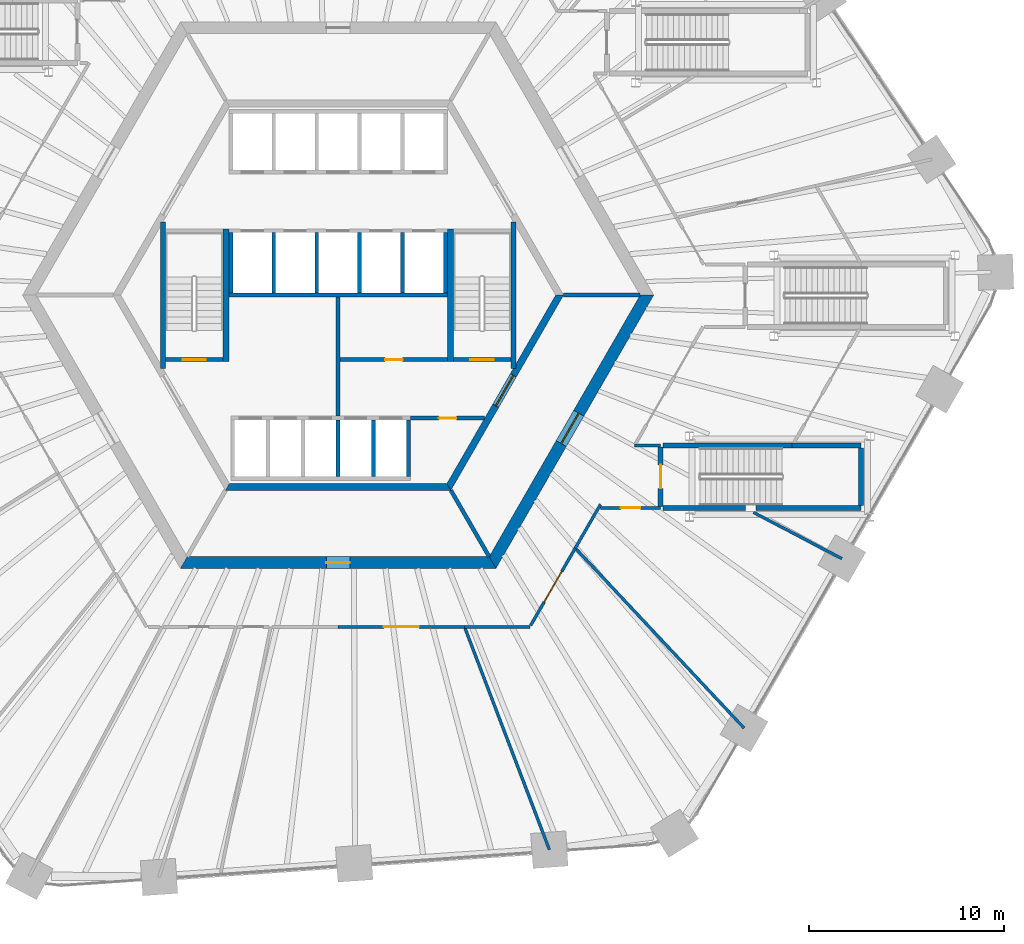
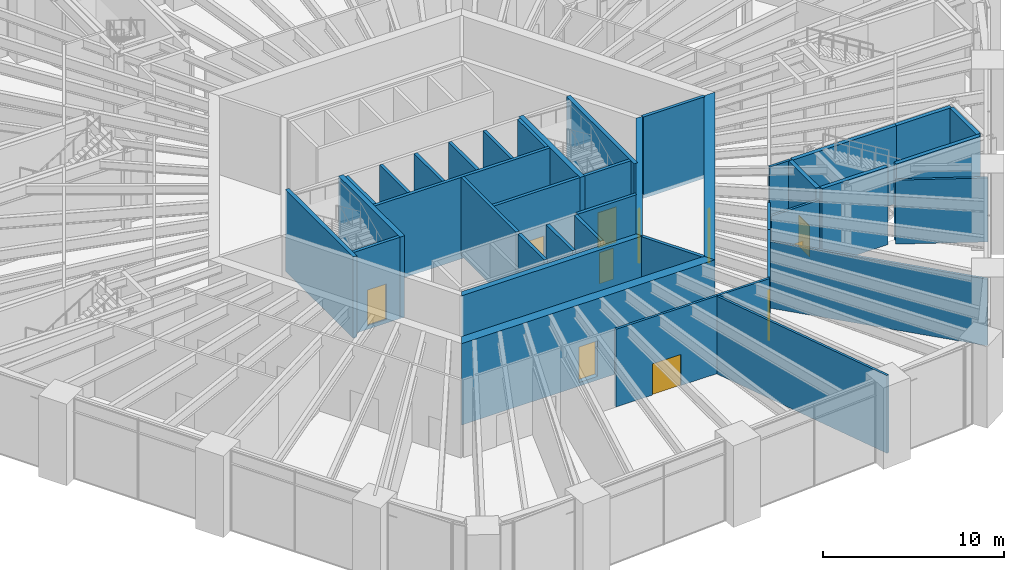
# One storey, part 22 of 30: 40 walls, 11 doors, 11 openings.
"""IFC4 building model written with IfcOpenShell, lengths in metres."""

from ifc_helpers import new_model, si_unit, direction, frame, frame_2d, origin, place, context, subcontext, project, spatial, polyline, rectangle, outline, extrude, material, layer, layer_set, type_object, element, fill, save


model = new_model("IFC4")

# Units and contexts
model_context = context("Model", 3, precision=1e-05, world=origin(), true_north=direction((0.0, 1.0)))
body_context = subcontext(model_context, "Body", "Model", "MODEL_VIEW")
ifc_project = project(units=[si_unit("LENGTHUNIT", "METRE"), si_unit("AREAUNIT", "SQUARE_METRE"), si_unit("VOLUMEUNIT", "CUBIC_METRE"), si_unit("PLANEANGLEUNIT", "RADIAN"), si_unit("MASSUNIT", "GRAM", prefix="KILO")], contexts=[model_context])

# Site, building, storey
site_placement = place(None, origin())
site = spatial("IfcSite", under=ifc_project, at=site_placement, CompositionType="ELEMENT")
building_placement = place(site_placement, origin())
building = spatial("IfcBuilding", under=site, at=building_placement, Name="Tarnside Tower", CompositionType="ELEMENT")
storey_placement = place(building_placement, frame((0.0, 0.0, 20.5)))
storey = spatial("IfcBuildingStorey", under=building, at=storey_placement, Name="L03", CompositionType="ELEMENT", Elevation=20.5)

# Wall
ifc_material_1 = material(Name="Concrete C50/60", Category="concrete")
ifc_layer_1 = layer(ifc_material_1, 0.35009765625)
ifc_layer_set_1 = layer_set([ifc_layer_1], Name="Core block wall 350 C50/60")
wall_type_1 = type_object("IfcWallType", Name="Core block wall 350 C50/60", PredefinedType="SHEAR", material=ifc_layer_set_1)
wall_1_placement = place(storey_placement, frame((-5.672607421875, -9.824951171875, -0.25), z_axis=(0.0, 0.0, 1.0), x_axis=(1.0, 0.0, 0.0)))
element("IfcWall", 1, at=wall_1_placement, inside=storey, type_object=wall_type_1, Name="L03 core block wall face 4", PredefinedType="SHEAR", context=body_context, shape_type="SweptSolid", body=[
    extrude(outline(polyline([(-0.10107421875, -0.175048828125), (11.4462890625, -0.175048828125), (11.244140625, 0.175048828125), (0.10107421875, 0.175048828125), (-0.10107421875, -0.175048828125)])), origin(), (0.0, 0.0, 1.0), 5.5),
])

# Wall, opening, door
wall_2_placement = place(storey_placement, frame((5.672607421875, -9.824951171875, -0.25), z_axis=(0.0, 0.0, 1.0), x_axis=(0.499995046907, 0.866028263435, 0.0)))
wall_2 = element("IfcWall", 2, at=wall_2_placement, inside=storey, type_object=wall_type_1, Name="L03 core block wall face 5", PredefinedType="SHEAR", context=body_context, shape_type="SweptSolid", body=[
    extrude(outline(polyline([(-0.10107421875, -0.175048828125), (11.44580078125, -0.175048828125), (11.24365234375, 0.175048828125), (0.10107421875, 0.175048828125), (-0.10107421875, -0.175048828125)])), origin(), (0.0, 0.0, 1.0), 5.5),
])
opening_1_placement = place(wall_2_placement, frame((4.80126953125, 0.0, 0.25)))
opening_1 = element("IfcOpeningElement", 3, at=opening_1_placement, cuts=wall_2, Name="Opening CD-FFL", PredefinedType="OPENING", context=body_context, shape_type="SweptSolid", body=[
    extrude(rectangle(XDim=1.800048828125, YDim=2.39990234375, at=frame_2d((0.89990234375, 1.199951171875))), frame((0.0, 0.18505859375, 0.0), z_axis=(0.0, -1.0, 0.0), x_axis=(1.0, 0.0, 0.0)), (0.0, 0.0, 1.0), 0.3701171875),
])
ifc_material_2 = material(Name="Steel fire door", Category="steel")
door_type_1 = type_object("IfcDoorType", Name="Firefighting lobby double door FD60S 1800x2400", OperationType="NOTDEFINED", PredefinedType="DOOR", material=ifc_material_2)
door_1_placement = place(opening_1_placement, origin())
door_1 = element("IfcDoor", 4, at=door_1_placement, inside=storey, type_object=door_type_1, Name="L03 lobby block door P4", OperationType="DOUBLE_DOOR_SINGLE_SWING", OverallHeight=2.39990234375, OverallWidth=1.800048828125, PredefinedType="DOOR", context=body_context, shape_type="SweptSolid", body=[
    extrude(rectangle(XDim=1.800048828125, YDim=2.39990234375, at=frame_2d((0.89990234375, 1.199951171875))), frame((0.0, 0.02490234375, 0.0), z_axis=(0.0, -1.0, 0.0), x_axis=(1.0, 0.0, 0.0)), (0.0, 0.0, 1.0), 0.050048828125),
])
fill(opening_1, door_1)

ifc_material_3 = material(Name="Concrete C40/50", Category="concrete")
ifc_layer_2 = layer(ifc_material_3, 0.199951171875)
ifc_layer_set_2 = layer_set([ifc_layer_2], Name="Core room partition 200 C40/50")
wall_type_2 = type_object("IfcWallType", Name="Core room partition 200 C40/50", PredefinedType="PARTITIONING", material=ifc_layer_set_2)
wall_3_placement = place(storey_placement, frame((0.10009765625, -3.300048828125, 0.0), z_axis=(0.0, 0.0, 1.0), x_axis=(1.0, 0.0, 0.0)))
wall_3 = element("IfcWall", 5, at=wall_3_placement, inside=storey, type_object=wall_type_2, Name="L03 core partition R3S1", PredefinedType="PARTITIONING", context=body_context, shape_type="SweptSolid", body=[
    extrude(rectangle(XDim=5.5, YDim=0.199951171875, at=frame_2d((2.75, 0.0))), origin(), (0.0, 0.0, 1.0), 5.25),
])
opening_2_placement = place(wall_3_placement, frame((2.300048828125, 0.0, 0.0)))
opening_2 = element("IfcOpeningElement", 6, at=opening_2_placement, cuts=wall_3, Name="Opening CD-room", PredefinedType="OPENING", context=body_context, shape_type="SweptSolid", body=[
    extrude(rectangle(XDim=0.89990234375, YDim=2.10009765625, at=frame_2d((0.449951171875, 1.050048828125))), frame((0.0, 0.10986328125, 0.0), z_axis=(0.0, -1.0, 0.0), x_axis=(1.0, 0.0, 0.0)), (0.0, 0.0, 1.0), 0.219970703125),
])
door_type_2 = type_object("IfcDoorType", Name="Room door FD60 900x2100", OperationType="NOTDEFINED", PredefinedType="DOOR", material=ifc_material_2)
door_2_placement = place(opening_2_placement, origin())
door_2 = element("IfcDoor", 7, at=door_2_placement, inside=storey, type_object=door_type_2, Name="L03 core room door SR1", OperationType="SINGLE_SWING_LEFT", OverallHeight=2.10009765625, OverallWidth=0.89990234375, PredefinedType="DOOR", context=body_context, shape_type="SweptSolid", body=[
    extrude(rectangle(XDim=0.89990234375, YDim=2.10009765625, at=frame_2d((0.449951171875, 1.050048828125))), frame((0.0, 0.02490234375, 0.0), z_axis=(0.0, -1.0, 0.0), x_axis=(1.0, 0.0, 0.0)), (0.0, 0.0, 1.0), 0.050048828125),
])
fill(opening_2, door_2)

# Wall
wall_4_placement = place(storey_placement, frame((0.0, -6.199951171875, 0.0), z_axis=(0.0, 0.0, 1.0), x_axis=(0.0, 1.0, 0.0)))
element("IfcWall", 8, at=wall_4_placement, inside=storey, type_object=wall_type_2, Name="L03 core partition X0", PredefinedType="PARTITIONING", context=body_context, shape_type="SweptSolid", body=[
    extrude(rectangle(XDim=6.099853515625, YDim=0.199951171875, at=frame_2d((3.0498046875, 0.0))), origin(), (0.0, 0.0, 1.0), 5.25),
])

# Wall, opening, door
wall_5_placement = place(storey_placement, frame((3.699951171875, -6.300048828125, 0.0), z_axis=(0.0, 0.0, 1.0), x_axis=(1.0, 0.0, 0.0)))
wall_5 = element("IfcWall", 9, at=wall_5_placement, inside=storey, type_object=wall_type_2, Name="L03 core partition R4X", PredefinedType="PARTITIONING", context=body_context, shape_type="SweptSolid", body=[
    extrude(rectangle(XDim=3.8056640625, YDim=0.199951171875, at=frame_2d((1.90283203125, 0.0))), origin(), (0.0, 0.0, 1.0), 5.25),
])
opening_3_placement = place(wall_5_placement, frame((1.452880859375, 0.0, 0.0)))
opening_3 = element("IfcOpeningElement", 10, at=opening_3_placement, cuts=wall_5, Name="Opening CD-room", PredefinedType="OPENING", context=body_context, shape_type="SweptSolid", body=[
    extrude(rectangle(XDim=0.89990234375, YDim=2.10009765625, at=frame_2d((0.449951171875, 1.050048828125))), frame((0.0, 0.10986328125, 0.0), z_axis=(0.0, -1.0, 0.0), x_axis=(1.0, 0.0, 0.0)), (0.0, 0.0, 1.0), 0.219970703125),
])
door_3_placement = place(opening_3_placement, origin())
door_3 = element("IfcDoor", 11, at=door_3_placement, inside=storey, type_object=door_type_2, Name="L03 core room door RX", OperationType="SINGLE_SWING_LEFT", OverallHeight=2.10009765625, OverallWidth=0.89990234375, PredefinedType="DOOR", context=body_context, shape_type="SweptSolid", body=[
    extrude(rectangle(XDim=0.89990234375, YDim=2.10009765625, at=frame_2d((0.449951171875, 1.050048828125))), frame((0.0, 0.02490234375, 0.0), z_axis=(0.0, -1.0, 0.0), x_axis=(1.0, 0.0, 0.0)), (0.0, 0.0, 1.0), 0.050048828125),
])
fill(opening_3, door_3)

ifc_material_4 = material(Name="Concrete C80/95", Category="concrete")
ifc_layer_3 = layer(ifc_material_4, 0.60009765625)
ifc_layer_set_3 = layer_set([ifc_layer_3], Name="Core wall Z1 600 C80/95")
wall_type_3 = type_object("IfcWallType", Name="Core wall Z1 600 C80/95", PredefinedType="SHEAR", material=ifc_layer_set_3)
wall_6_placement = place(storey_placement, frame((-7.90966796875, -13.699951171875, -0.25), z_axis=(0.0, 0.0, 1.0), x_axis=(1.0, 0.0, 0.0)))
wall_6 = element("IfcWall", 12, at=wall_6_placement, inside=storey, type_object=wall_type_3, Name="L03 core wall face 4", PredefinedType="SHEAR", context=body_context, shape_type="SweptSolid", body=[
    extrude(outline(polyline([(-0.17333984375, -0.300048828125), (15.99267578125, -0.300048828125), (15.64599609375, 0.300048828125), (0.17333984375, 0.300048828125), (-0.17333984375, -0.300048828125)])), origin(), (0.0, 0.0, 1.0), 5.5),
])
opening_4_placement = place(wall_6_placement, frame((7.309814453125, 0.0, 0.25)))
opening_4 = element("IfcOpeningElement", 13, at=opening_4_placement, cuts=wall_6, Name="Opening CD-RSR", PredefinedType="OPENING", context=body_context, shape_type="SweptSolid", body=[
    extrude(rectangle(XDim=1.199951171875, YDim=2.39990234375, at=frame_2d((0.60009765625, 1.199951171875))), frame((0.0, 0.31005859375, 0.0), z_axis=(0.0, -1.0, 0.0), x_axis=(1.0, 0.0, 0.0)), (0.0, 0.0, 1.0), 0.6201171875),
])
door_type_3 = type_object("IfcDoorType", Name="Riser door FD60 1200x2400", OperationType="NOTDEFINED", PredefinedType="DOOR", material=ifc_material_2)
door_4_placement = place(opening_4_placement, origin())
door_4 = element("IfcDoor", 14, at=door_4_placement, inside=storey, type_object=door_type_3, Name="L03 core door S6", OperationType="SINGLE_SWING_LEFT", OverallHeight=2.39990234375, OverallWidth=1.199951171875, PredefinedType="DOOR", context=body_context, shape_type="SweptSolid", body=[
    extrude(rectangle(XDim=1.199951171875, YDim=2.39990234375, at=frame_2d((0.60009765625, 1.199951171875))), frame((0.0, 0.02490234375, 0.0), z_axis=(0.0, -1.0, 0.0), x_axis=(1.0, 0.0, 0.0)), (0.0, 0.0, 1.0), 0.050048828125),
])
fill(opening_4, door_4)

wall_7_placement = place(storey_placement, frame((7.90966796875, -13.699951171875, -0.25), z_axis=(0.0, 0.0, 1.0), x_axis=(0.499999880136, 0.866025472988, 0.0)))
wall_7 = element("IfcWall", 15, at=wall_7_placement, inside=storey, type_object=wall_type_3, Name="L03 core wall face 5", PredefinedType="SHEAR", context=body_context, shape_type="SweptSolid", body=[
    extrude(outline(polyline([(-0.17333984375, -0.300048828125), (15.99267578125, -0.300048828125), (15.64599609375, 0.300048828125), (0.17333984375, 0.300048828125), (-0.17333984375, -0.300048828125)])), origin(), (0.0, 0.0, 1.0), 5.5),
])
opening_5_placement = place(wall_7_placement, frame((7.03857421875, 0.0, 0.25)))
opening_5 = element("IfcOpeningElement", 16, at=opening_5_placement, cuts=wall_7, Name="Opening CD-FFL", PredefinedType="OPENING", context=body_context, shape_type="SweptSolid", body=[
    extrude(rectangle(XDim=1.800048828125, YDim=2.39990234375, at=frame_2d((0.89990234375, 1.199951171875))), frame((0.0, 0.31005859375, 0.0), z_axis=(0.0, -1.0, 0.0), x_axis=(1.0, 0.0, 0.0)), (0.0, 0.0, 1.0), 0.6201171875),
])
door_5_placement = place(opening_5_placement, origin())
door_5 = element("IfcDoor", 17, at=door_5_placement, inside=storey, type_object=door_type_1, Name="L03 core door P4", OperationType="DOUBLE_DOOR_SINGLE_SWING", OverallHeight=2.39990234375, OverallWidth=1.800048828125, PredefinedType="DOOR", context=body_context, shape_type="SweptSolid", body=[
    extrude(rectangle(XDim=1.800048828125, YDim=2.39990234375, at=frame_2d((0.89990234375, 1.199951171875))), frame((0.0, 0.02490234375, 0.0), z_axis=(0.0, -1.0, 0.0), x_axis=(1.0, 0.0, 0.0)), (0.0, 0.0, 1.0), 0.050048828125),
])
fill(opening_5, door_5)

# Walls
ifc_layer_4 = layer(ifc_material_3, 0.199951171875)
ifc_layer_set_4 = layer_set([ifc_layer_4], Name="Lift shaft wall 200 C40/50")
wall_type_4 = type_object("IfcWallType", Name="Lift shaft wall 200 C40/50", PredefinedType="SHEAR", material=ifc_layer_set_4)
wall_8_placement = place(storey_placement, frame((-5.60009765625, 0.0, -0.25), z_axis=(0.0, 0.0, 1.0), x_axis=(1.0, 0.0, 0.0)))
element("IfcWall", 18, at=wall_8_placement, inside=storey, type_object=wall_type_4, Name="L03 lift shaft back wall R2", PredefinedType="SHEAR", context=body_context, shape_type="SweptSolid", body=[
    extrude(rectangle(XDim=11.2001953125, YDim=0.199951171875, at=frame_2d((5.60009765625, 0.0))), origin(), (0.0, 0.0, 1.0), 5.5),
])
for number, where, z_axis, x_axis, name in (
    (19, (-5.5, 0.10009765625, -0.25), (0.0, 0.0, 1.0), (0.0, 1.0, 0.0), "L03 lift shaft partition R21"),
    (20, (-3.300048828125, 0.10009765625, -0.25), (0.0, 0.0, 1.0), (0.0, 1.0, 0.0), "L03 lift shaft partition R22"),
    (21, (-1.10009765625, 0.10009765625, -0.25), (0.0, 0.0, 1.0), (0.0, 1.0, 0.0), "L03 lift shaft partition R23"),
    (22, (1.10009765625, 0.10009765625, -0.25), (0.0, 0.0, 1.0), (0.0, 1.0, 0.0), "L03 lift shaft partition R24"),
    (23, (3.300048828125, 0.10009765625, -0.25), (0.0, 0.0, 1.0), (0.0, 1.0, 0.0), "L03 lift shaft partition R25"),
    (24, (5.5, 0.10009765625, -0.25), (0.0, 0.0, 1.0), (0.0, 1.0, 0.0), "L03 lift shaft partition R26"),
):
    element("IfcWall", number, at=place(storey_placement, frame(where, z_axis=z_axis, x_axis=x_axis)), inside=storey, type_object=wall_type_4, Name=name, PredefinedType="SHEAR", context=body_context, shape_type="SweptSolid", body=[
        extrude(rectangle(XDim=3.099853515625, YDim=0.199951171875, at=frame_2d((1.5498046875, 0.0))), origin(), (0.0, 0.0, 1.0), 5.5),
    ])
for number, where, z_axis, x_axis, name in (
    (25, (0.0, -9.300048828125, -0.25), (0.0, 0.0, 1.0), (0.0, 1.0, 0.0), "L03 lift shaft partition R44"),
    (26, (1.800048828125, -9.300048828125, -0.25), (0.0, 0.0, 1.0), (0.0, 1.0, 0.0), "L03 lift shaft partition R45"),
    (27, (3.60009765625, -9.300048828125, -0.25), (0.0, 0.0, 1.0), (0.0, 1.0, 0.0), "L03 lift shaft partition R46"),
):
    element("IfcWall", number, at=place(storey_placement, frame(where, z_axis=z_axis, x_axis=x_axis)), inside=storey, type_object=wall_type_4, Name=name, PredefinedType="SHEAR", context=body_context, shape_type="SweptSolid", body=[
        extrude(rectangle(XDim=2.900146484375, YDim=0.199951171875, at=frame_2d((1.4501953125, 0.0))), origin(), (0.0, 0.0, 1.0), 5.5),
    ])
wall_9_placement = place(storey_placement, frame((11.547119140625, 0.0, -0.25), z_axis=(0.0, 0.0, 1.0), x_axis=(1.0, 0.0, 0.0)))
element("IfcWall", 28, at=wall_9_placement, inside=storey, type_object=wall_type_4, Name="L03 core partition AR0", PredefinedType="SHEAR", context=body_context, shape_type="SweptSolid", body=[
    extrude(rectangle(XDim=3.92578125, YDim=0.199951171875, at=frame_2d((1.962890625, 0.0))), origin(), (0.0, 0.0, 1.0), 5.5),
])
wall_10_placement = place(storey_placement, frame((5.7734375, -10.0, -0.25), z_axis=(0.0, 0.0, 1.0), x_axis=(0.500038251005, -0.86600331843, 0.0)))
element("IfcWall", 29, at=wall_10_placement, inside=storey, type_object=wall_type_4, Name="L03 core partition AR300", PredefinedType="SHEAR", context=body_context, shape_type="SweptSolid", body=[
    extrude(rectangle(XDim=3.926025390625, YDim=0.199951171875, at=frame_2d((1.962890625, 0.0))), origin(), (0.0, 0.0, 1.0), 5.5),
])

# Wall, opening, door
wall_11_placement = place(storey_placement, frame((5.89990234375, -3.300048828125, -0.25), z_axis=(0.0, 0.0, 1.0), x_axis=(1.0, 0.0, 0.0)))
wall_11 = element("IfcWall", 30, at=wall_11_placement, inside=storey, type_object=wall_type_4, Name="L03 stair 1 enclosure cap wall s", PredefinedType="SHEAR", context=body_context, shape_type="SweptSolid", body=[
    extrude(rectangle(XDim=2.9501953125, YDim=0.199951171875, at=frame_2d((1.47509765625, 0.0))), origin(), (0.0, 0.0, 1.0), 5.5),
])
opening_6_placement = place(wall_11_placement, frame((0.875, 0.0, 0.25)))
opening_6 = element("IfcOpeningElement", 31, at=opening_6_placement, cuts=wall_11, Name="Opening CD-STR", PredefinedType="OPENING", context=body_context, shape_type="SweptSolid", body=[
    extrude(rectangle(XDim=1.199951171875, YDim=2.39990234375, at=frame_2d((0.60009765625, 1.199951171875))), frame((0.0, 0.10986328125, 0.0), z_axis=(0.0, -1.0, 0.0), x_axis=(1.0, 0.0, 0.0)), (0.0, 0.0, 1.0), 0.219970703125),
])
door_type_4 = type_object("IfcDoorType", Name="Stair door FD60S 1200x2400", OperationType="NOTDEFINED", PredefinedType="DOOR", material=ifc_material_2)
door_6_placement = place(opening_6_placement, origin())
door_6 = element("IfcDoor", 32, at=door_6_placement, inside=storey, type_object=door_type_4, Name="L03 stair 1 door", OperationType="SINGLE_SWING_LEFT", OverallHeight=2.39990234375, OverallWidth=1.199951171875, PredefinedType="DOOR", context=body_context, shape_type="SweptSolid", body=[
    extrude(rectangle(XDim=1.199951171875, YDim=2.39990234375, at=frame_2d((0.60009765625, 1.199951171875))), frame((0.0, 0.02490234375, 0.0), z_axis=(0.0, -1.0, 0.0), x_axis=(1.0, 0.0, 0.0)), (0.0, 0.0, 1.0), 0.050048828125),
])
fill(opening_6, door_6)

wall_12_placement = place(storey_placement, frame((-8.85009765625, -3.300048828125, -0.25), z_axis=(0.0, 0.0, 1.0), x_axis=(1.0, 0.0, 0.0)))
wall_12 = element("IfcWall", 33, at=wall_12_placement, inside=storey, type_object=wall_type_4, Name="L03 stair 2 enclosure cap wall s", PredefinedType="SHEAR", context=body_context, shape_type="SweptSolid", body=[
    extrude(rectangle(XDim=2.9501953125, YDim=0.199951171875, at=frame_2d((1.47509765625, 0.0))), origin(), (0.0, 0.0, 1.0), 5.5),
])
opening_7_placement = place(wall_12_placement, frame((0.875, 0.0, 0.25)))
opening_7 = element("IfcOpeningElement", 34, at=opening_7_placement, cuts=wall_12, Name="Opening CD-STR", PredefinedType="OPENING", context=body_context, shape_type="SweptSolid", body=[
    extrude(rectangle(XDim=1.199951171875, YDim=2.39990234375, at=frame_2d((0.60009765625, 1.199951171875))), frame((0.0, 0.10986328125, 0.0), z_axis=(0.0, -1.0, 0.0), x_axis=(1.0, 0.0, 0.0)), (0.0, 0.0, 1.0), 0.219970703125),
])
door_7_placement = place(opening_7_placement, origin())
door_7 = element("IfcDoor", 35, at=door_7_placement, inside=storey, type_object=door_type_4, Name="L03 stair 2 door", OperationType="SINGLE_SWING_LEFT", OverallHeight=2.39990234375, OverallWidth=1.199951171875, PredefinedType="DOOR", context=body_context, shape_type="SweptSolid", body=[
    extrude(rectangle(XDim=1.199951171875, YDim=2.39990234375, at=frame_2d((0.60009765625, 1.199951171875))), frame((0.0, 0.02490234375, 0.0), z_axis=(0.0, -1.0, 0.0), x_axis=(1.0, 0.0, 0.0)), (0.0, 0.0, 1.0), 0.050048828125),
])
fill(opening_7, door_7)

ifc_material_5 = material(Name="Gypsum board")
ifc_layer_5 = layer(ifc_material_5, 0.14990234375)
ifc_layer_set_5 = layer_set([ifc_layer_5], Name="Partition 150 gypsum board on metal stud")
wall_type_5 = type_object("IfcWallType", Name="Partition 150 gypsum board on metal stud", PredefinedType="PARTITIONING", material=ifc_layer_set_5)
wall_13_placement = place(storey_placement, frame((6.47412109375, -17.0, 0.0), z_axis=(0.0, 0.0, 1.0), x_axis=(-1.0, 0.0, 0.0)))
wall_13 = element("IfcWall", 36, at=wall_13_placement, inside=storey, type_object=wall_type_5, Name="Partition 049", PredefinedType="PARTITIONING", context=body_context, shape_type="SweptSolid", body=[
    extrude(rectangle(XDim=6.47412109375, YDim=0.14990234375, at=frame_2d((3.237060546875, 0.0))), origin(), (0.0, 0.0, 1.0), 5.25),
])
opening_8_placement = place(wall_13_placement, frame((2.3369140625, 0.0, 0.0)))
opening_8 = element("IfcOpeningElement", 37, at=opening_8_placement, cuts=wall_13, Name="Opening D1800F30", PredefinedType="OPENING", context=body_context, shape_type="SweptSolid", body=[
    extrude(rectangle(XDim=1.800048828125, YDim=2.10009765625, at=frame_2d((0.89990234375, 1.050048828125))), frame((0.0, 0.0849609375, 0.0), z_axis=(0.0, -1.0, 0.0), x_axis=(1.0, 0.0, 0.0)), (0.0, 0.0, 1.0), 0.169921875),
])
ifc_material_6 = material(Name="Timber door leaf", Category="wood")
door_type_5 = type_object("IfcDoorType", Name="Door pair 1800 x 2100 FD30S fire door", OperationType="NOTDEFINED", PredefinedType="DOOR", material=ifc_material_6)
door_8_placement = place(opening_8_placement, origin())
door_8 = element("IfcDoor", 38, at=door_8_placement, inside=storey, type_object=door_type_5, Name="Door L03-18", OperationType="DOUBLE_DOOR_SINGLE_SWING", OverallHeight=2.10009765625, OverallWidth=1.800048828125, PredefinedType="DOOR", context=body_context, shape_type="SweptSolid", body=[
    extrude(rectangle(XDim=1.800048828125, YDim=2.10009765625, at=frame_2d((0.89990234375, 1.050048828125))), frame((0.0, 0.02490234375, 0.0), z_axis=(0.0, -1.0, 0.0), x_axis=(1.0, 0.0, 0.0)), (0.0, 0.0, 1.0), 0.050048828125),
])
fill(opening_8, door_8)

# Wall
wall_14_placement = place(storey_placement, frame((6.47412109375, -17.0, 0.0), z_axis=(0.0, 0.0, 1.0), x_axis=(1.0, 0.0, 0.0)))
element("IfcWall", 39, at=wall_14_placement, inside=storey, type_object=wall_type_5, Name="Partition 052", PredefinedType="PARTITIONING", context=body_context, shape_type="SweptSolid", body=[
    extrude(rectangle(XDim=3.3408203125, YDim=0.14990234375, at=frame_2d((1.67041015625, 0.0))), origin(), (0.0, 0.0, 1.0), 5.25),
])

# Wall, opening, door
wall_15_placement = place(storey_placement, frame((12.14794921875, -12.958984375, 0.0), z_axis=(0.0, 0.0, 1.0), x_axis=(-0.499957811549, -0.866049759928, 0.0)))
wall_15 = element("IfcWall", 40, at=wall_15_placement, inside=storey, type_object=wall_type_5, Name="Partition 054", PredefinedType="PARTITIONING", context=body_context, shape_type="SweptSolid", body=[
    extrude(rectangle(XDim=4.57958984375, YDim=0.14990234375, at=frame_2d((2.289794921875, 0.0))), origin(), (0.0, 0.0, 1.0), 5.25),
])
opening_9_placement = place(wall_15_placement, frame((1.3896484375, 0.0, 0.0)))
opening_9 = element("IfcOpeningElement", 41, at=opening_9_placement, cuts=wall_15, Name="Opening D1800F30", PredefinedType="OPENING", context=body_context, shape_type="SweptSolid", body=[
    extrude(rectangle(XDim=1.800048828125, YDim=2.10009765625, at=frame_2d((0.89990234375, 1.050048828125))), frame((0.0, 0.0849609375, 0.0), z_axis=(0.0, -1.0, 0.0), x_axis=(1.0, 0.0, 0.0)), (0.0, 0.0, 1.0), 0.169921875),
])
door_9_placement = place(opening_9_placement, origin())
door_9 = element("IfcDoor", 42, at=door_9_placement, inside=storey, type_object=door_type_5, Name="Door L03-21", OperationType="DOUBLE_DOOR_SINGLE_SWING", OverallHeight=2.10009765625, OverallWidth=1.800048828125, PredefinedType="DOOR", context=body_context, shape_type="SweptSolid", body=[
    extrude(rectangle(XDim=1.800048828125, YDim=2.10009765625, at=frame_2d((0.89990234375, 1.050048828125))), frame((0.0, 0.02490234375, 0.0), z_axis=(0.0, -1.0, 0.0), x_axis=(1.0, 0.0, 0.0)), (0.0, 0.0, 1.0), 0.050048828125),
])
fill(opening_9, door_9)

# Walls
wall_16_placement = place(storey_placement, frame((10.821044921875, -28.4140625, 0.0), z_axis=(0.0, 0.0, 1.0), x_axis=(-0.355901613379, 0.934523430201, 0.0)))
element("IfcWall", 43, at=wall_16_placement, inside=storey, type_object=wall_type_5, Name="Partition 056", PredefinedType="PARTITIONING", context=body_context, shape_type="SweptSolid", body=[
    extrude(rectangle(XDim=12.133544921875, YDim=0.14990234375, at=frame_2d((6.06689453125, 0.0))), origin(), (0.0, 0.0, 1.0), 5.25),
])
wall_17_placement = place(storey_placement, frame((12.14794921875, -12.958984375, 0.0), z_axis=(0.0, 0.0, 1.0), x_axis=(0.499959617396, 0.866048717436, 0.0)))
element("IfcWall", 44, at=wall_17_placement, inside=storey, type_object=wall_type_5, Name="Partition 060", PredefinedType="PARTITIONING", context=body_context, shape_type="SweptSolid", body=[
    extrude(rectangle(XDim=2.584228515625, YDim=0.14990234375, at=frame_2d((1.2919921875, 0.0))), origin(), (0.0, 0.0, 1.0), 5.25),
])
wall_18_placement = place(storey_placement, frame((15.18408203125, -7.699951171875, 0.0), z_axis=(0.0, 0.0, 1.0), x_axis=(1.0, 0.0, 0.0)))
element("IfcWall", 45, at=wall_18_placement, inside=storey, type_object=wall_type_5, Name="Partition 066", PredefinedType="PARTITIONING", context=body_context, shape_type="SweptSolid", body=[
    extrude(rectangle(XDim=1.330810546875, YDim=0.14990234375, at=frame_2d((0.66552734375, 0.0))), origin(), (0.0, 0.0, 1.0), 5.25),
])

# Wall, opening, door
wall_19_placement = place(storey_placement, frame((16.514892578125, -10.89990234375, 0.0), z_axis=(0.0, 0.0, 1.0), x_axis=(-1.0, 0.0, 0.0)))
wall_19 = element("IfcWall", 46, at=wall_19_placement, inside=storey, type_object=wall_type_5, Name="Partition 069", PredefinedType="PARTITIONING", context=body_context, shape_type="SweptSolid", body=[
    extrude(rectangle(XDim=3.074951171875, YDim=0.14990234375, at=frame_2d((1.53759765625, 0.0))), origin(), (0.0, 0.0, 1.0), 4.49609375),
])
opening_10_placement = place(wall_19_placement, frame((1.03759765625, 0.0, 0.0)))
opening_10 = element("IfcOpeningElement", 47, at=opening_10_placement, cuts=wall_19, Name="Opening D1000F30", PredefinedType="OPENING", context=body_context, shape_type="SweptSolid", body=[
    extrude(rectangle(XDim=1.0, YDim=2.10009765625, at=frame_2d((0.5, 1.050048828125))), frame((0.0, 0.0849609375, 0.0), z_axis=(0.0, -1.0, 0.0), x_axis=(1.0, 0.0, 0.0)), (0.0, 0.0, 1.0), 0.169921875),
])
door_type_6 = type_object("IfcDoorType", Name="Door 1000 x 2100 single leaf FD30S fire door", OperationType="NOTDEFINED", PredefinedType="DOOR", material=ifc_material_6)
door_10_placement = place(opening_10_placement, origin())
door_10 = element("IfcDoor", 48, at=door_10_placement, inside=storey, type_object=door_type_6, Name="Door L03-28", OperationType="SINGLE_SWING_LEFT", OverallHeight=2.10009765625, OverallWidth=1.0, PredefinedType="DOOR", context=body_context, shape_type="SweptSolid", body=[
    extrude(rectangle(XDim=1.0, YDim=2.10009765625, at=frame_2d((0.5, 1.050048828125))), frame((0.0, 0.02490234375, 0.0), z_axis=(0.0, -1.0, 0.0), x_axis=(1.0, 0.0, 0.0)), (0.0, 0.0, 1.0), 0.050048828125),
])
fill(opening_10, door_10)

# Walls
wall_20_placement = place(storey_placement, frame((20.794921875, -22.181884765625, 0.0), z_axis=(0.0, 0.0, 1.0), x_axis=(-0.683955995382, 0.729523266511, 0.0)))
element("IfcWall", 49, at=wall_20_placement, inside=storey, type_object=wall_type_5, Name="Partition 078", PredefinedType="PARTITIONING", context=body_context, shape_type="SweptSolid", body=[
    extrude(rectangle(XDim=12.56396484375, YDim=0.14990234375, at=frame_2d((6.281982421875, 0.0))), origin(), (0.0, 0.0, 1.0), 4.49609375),
])
wall_21_placement = place(storey_placement, frame((25.806884765625, -13.5009765625, 0.0), z_axis=(0.0, 0.0, 1.0), x_axis=(-0.886088844059, 0.463515437104, 0.0)))
element("IfcWall", 50, at=wall_21_placement, inside=storey, type_object=wall_type_5, Name="Partition 090", PredefinedType="PARTITIONING", context=body_context, shape_type="SweptSolid", body=[
    extrude(rectangle(XDim=5.1044921875, YDim=0.14990234375, at=frame_2d((2.55224609375, 0.0))), origin(), (0.0, 0.0, 1.0), 4.323486328125),
])
ifc_layer_6 = layer(ifc_material_3, 0.25)
ifc_layer_set_6 = layer_set([ifc_layer_6], Name="Stair enclosure wall 250 C40/50")
wall_type_6 = type_object("IfcWallType", Name="Stair enclosure wall 250 C40/50", PredefinedType="SHEAR", material=ifc_layer_set_6)
for number, where, z_axis, x_axis, name in (
    (51, (8.97509765625, -3.7548828125, -0.25), (0.0, 0.0, 1.0), (0.0, 1.0, 0.0), "L03 stair 1 enclosure wall outer"),
    (52, (-8.97509765625, -3.7548828125, -0.25), (0.0, 0.0, 1.0), (0.0, 1.0, 0.0), "L03 stair 2 enclosure wall outer"),
):
    element("IfcWall", number, at=place(storey_placement, frame(where, z_axis=z_axis, x_axis=x_axis)), inside=storey, type_object=wall_type_6, Name=name, PredefinedType="SHEAR", context=body_context, shape_type="SweptSolid", body=[
        extrude(rectangle(XDim=7.509765625, YDim=0.25, at=frame_2d((3.7548828125, 0.0))), origin(), (0.0, 0.0, 1.0), 5.5),
    ])
ifc_layer_7 = layer(ifc_material_3, 0.300048828125)
ifc_layer_set_7 = layer_set([ifc_layer_7], Name="Stair enclosure wall 300 C40/50")
wall_type_7 = type_object("IfcWallType", Name="Stair enclosure wall 300 C40/50", PredefinedType="SHEAR", material=ifc_layer_set_7)
for number, where, z_axis, x_axis, name in (
    (53, (5.75, -3.39990234375, -0.25), (0.0, 0.0, 1.0), (0.0, 1.0, 0.0), "L03 stair 1 enclosure wall inner"),
    (54, (-5.75, -3.39990234375, -0.25), (0.0, 0.0, 1.0), (0.0, 1.0, 0.0), "L03 stair 2 enclosure wall inner"),
):
    element("IfcWall", number, at=place(storey_placement, frame(where, z_axis=z_axis, x_axis=x_axis)), inside=storey, type_object=wall_type_7, Name=name, PredefinedType="SHEAR", context=body_context, shape_type="SweptSolid", body=[
        extrude(rectangle(XDim=6.7998046875, YDim=0.300048828125, at=frame_2d((3.39990234375, 0.0))), origin(), (0.0, 0.0, 1.0), 5.5),
    ])

# Wall, opening, door
ifc_material_7 = material(Name="Concrete C32/40", Category="concrete")
ifc_layer_8 = layer(ifc_material_7, 0.25)
ifc_layer_set_8 = layer_set([ifc_layer_8], Name="Wall 250 reinforced Concrete C32/40")
wall_type_8 = type_object("IfcWallType", Name="Wall 250 reinforced Concrete C32/40", PredefinedType="PARTITIONING", material=ifc_layer_set_8)
wall_22_placement = place(storey_placement, frame((16.514892578125, -10.824951171875, 0.0), z_axis=(0.0, 0.0, 1.0), x_axis=(0.0, 1.0, 0.0)))
wall_22 = element("IfcWall", 55, at=wall_22_placement, inside=storey, type_object=wall_type_8, Name="Partition 070", PredefinedType="PARTITIONING", context=body_context, shape_type="SweptSolid", body=[
    extrude(rectangle(XDim=3.050048828125, YDim=0.25, at=frame_2d((1.52490234375, 0.0))), origin(), (0.0, 0.0, 1.0), 5.25),
])
opening_11_placement = place(wall_22_placement, frame((0.925048828125, 0.0, 0.0)))
opening_11 = element("IfcOpeningElement", 56, at=opening_11_placement, cuts=wall_22, Name="Opening D1200F60S", PredefinedType="OPENING", context=body_context, shape_type="SweptSolid", body=[
    extrude(rectangle(XDim=1.199951171875, YDim=2.10009765625, at=frame_2d((0.60009765625, 1.050048828125))), frame((0.0, 0.135009765625, 0.0), z_axis=(0.0, -1.0, 0.0), x_axis=(1.0, 0.0, 0.0)), (0.0, 0.0, 1.0), 0.27001953125),
])
door_type_7 = type_object("IfcDoorType", Name="Door 1200 x 2100 single leaf FD60S fire door", OperationType="NOTDEFINED", PredefinedType="DOOR", material=ifc_material_6)
door_11_placement = place(opening_11_placement, origin())
door_11 = element("IfcDoor", 57, at=door_11_placement, inside=storey, type_object=door_type_7, Name="Door L03-29", OperationType="SINGLE_SWING_RIGHT", OverallHeight=2.10009765625, OverallWidth=1.199951171875, PredefinedType="DOOR", context=body_context, shape_type="SweptSolid", body=[
    extrude(rectangle(XDim=1.199951171875, YDim=2.10009765625, at=frame_2d((0.60009765625, 1.050048828125))), frame((0.0, 0.02490234375, 0.0), z_axis=(0.0, -1.0, 0.0), x_axis=(1.0, 0.0, 0.0)), (0.0, 0.0, 1.0), 0.050048828125),
])
fill(opening_11, door_11)

# Walls
wall_23_placement = place(storey_placement, frame((16.639892578125, -7.699951171875, 0.0), z_axis=(0.0, 0.0, 1.0), x_axis=(1.0, 0.0, 0.0)))
element("IfcWall", 58, at=wall_23_placement, inside=storey, type_object=wall_type_8, Name="Partition 071", PredefinedType="PARTITIONING", context=body_context, shape_type="SweptSolid", body=[
    extrude(rectangle(XDim=6.63916015625, YDim=0.25, at=frame_2d((3.319580078125, 0.0))), origin(), (0.0, 0.0, 1.0), 5.25),
])
wall_24_placement = place(storey_placement, frame((20.85595703125, -10.89990234375, 0.0), z_axis=(0.0, 0.0, 1.0), x_axis=(-1.0, 0.0, 0.0)))
element("IfcWall", 59, at=wall_24_placement, inside=storey, type_object=wall_type_8, Name="Partition 082", PredefinedType="PARTITIONING", context=body_context, shape_type="SweptSolid", body=[
    extrude(rectangle(XDim=4.216064453125, YDim=0.25, at=frame_2d((2.10791015625, 0.0))), origin(), (0.0, 0.0, 1.0), 5.25),
])
wall_25_placement = place(storey_placement, frame((23.257080078125, -7.699951171875, 0.0), z_axis=(0.0, 0.0, 1.0), x_axis=(1.0, 0.0, 0.0)))
element("IfcWall", 60, at=wall_25_placement, inside=storey, type_object=wall_type_8, Name="Partition 083", PredefinedType="PARTITIONING", context=body_context, shape_type="SweptSolid", body=[
    extrude(rectangle(XDim=3.52783203125, YDim=0.25, at=frame_2d((1.763916015625, 0.0))), origin(), (0.0, 0.0, 1.0), 5.25),
])
wall_26_placement = place(storey_placement, frame((26.784912109375, -10.89990234375, 0.0), z_axis=(0.0, 0.0, 1.0), x_axis=(-1.0, 0.0, 0.0)))
element("IfcWall", 61, at=wall_26_placement, inside=storey, type_object=wall_type_8, Name="Partition 092", PredefinedType="PARTITIONING", context=body_context, shape_type="SweptSolid", body=[
    extrude(rectangle(XDim=5.376953125, YDim=0.25, at=frame_2d((2.6884765625, 0.0))), origin(), (0.0, 0.0, 1.0), 5.25),
])
wall_27_placement = place(storey_placement, frame((26.784912109375, -7.824951171875, 0.0), z_axis=(0.0, 0.0, 1.0), x_axis=(0.0, -1.0, 0.0)))
element("IfcWall", 62, at=wall_27_placement, inside=storey, type_object=wall_type_8, Name="Partition 093", PredefinedType="PARTITIONING", context=body_context, shape_type="SweptSolid", body=[
    extrude(rectangle(XDim=2.949951171875, YDim=0.25, at=frame_2d((1.47509765625, 0.0))), origin(), (0.0, 0.0, 1.0), 5.25),
])

save(model, "model.ifc")
